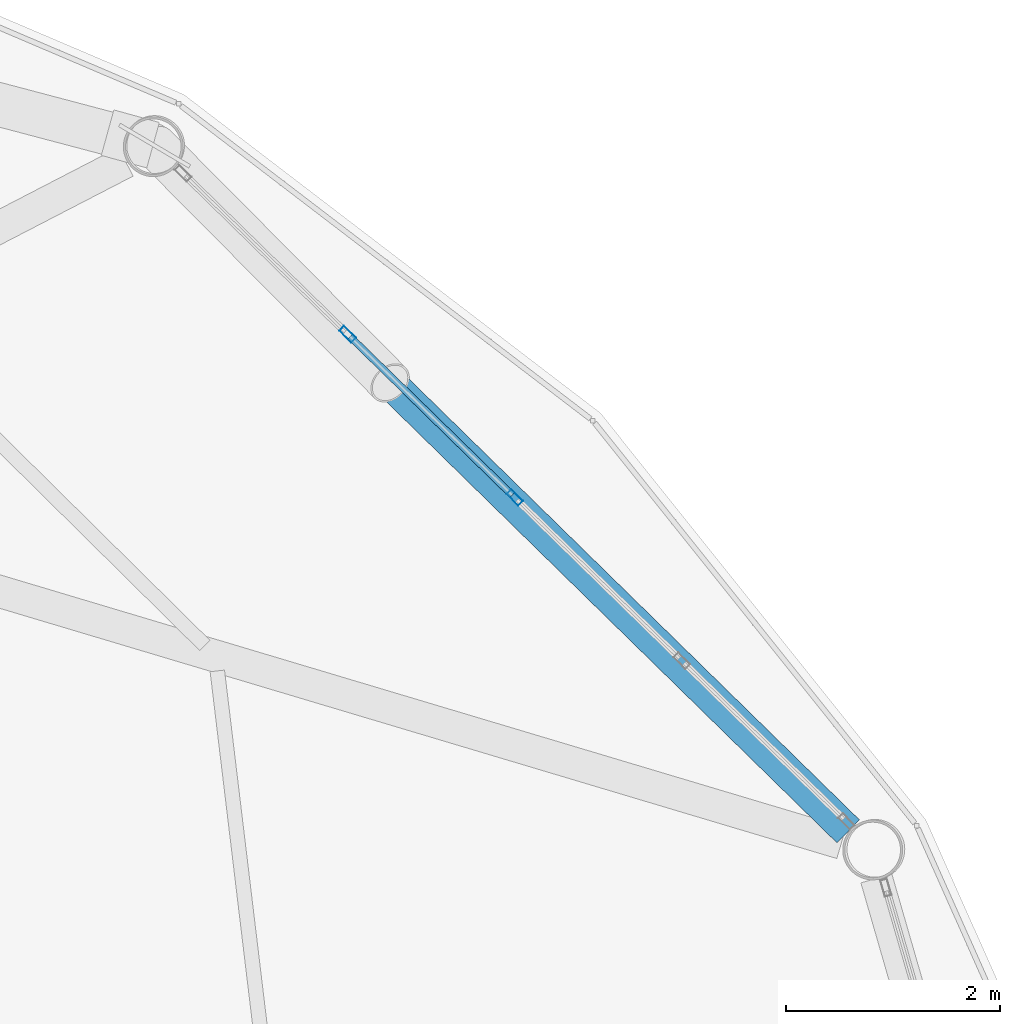
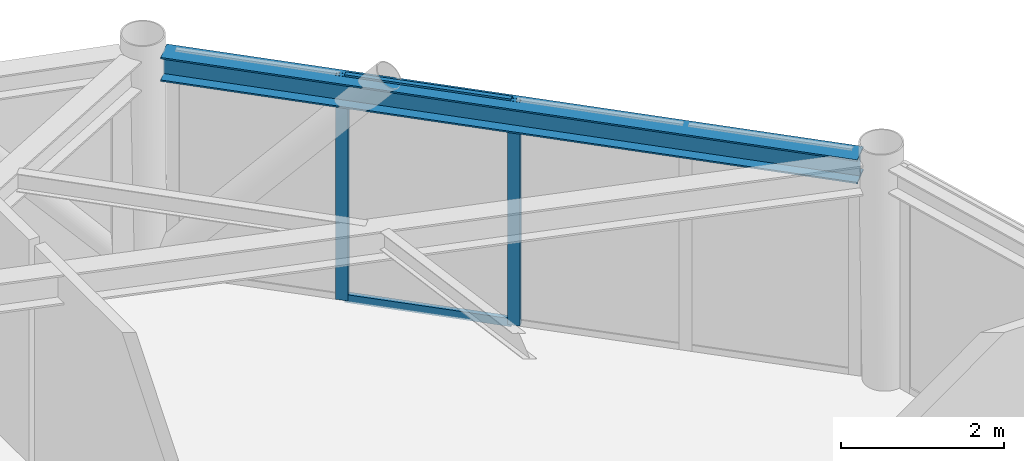
# One storey, part 15 of 27: 4 members, 1 beam, 1 element without a shape of its own.
"""IFC4 building model written with IfcOpenShell, lengths in metres."""

from ifc_helpers import new_model, si_unit, direction, frame, origin, origin_2d, place, context, subcontext, project, spatial, hollow_rectangle, i_section, extrude, material, layer, layer_set, material_profile, profile_set, type_object, element, aggregate, save


model = new_model("IFC4")

# Units and contexts
model_context = context("Model", 3, precision=1e-05, world=origin(), true_north=direction((0.0, 1.0)))
body_context = subcontext(model_context, "Body", "Model", "MODEL_VIEW")
ifc_project = project(units=[si_unit("LENGTHUNIT", "METRE"), si_unit("AREAUNIT", "SQUARE_METRE"), si_unit("VOLUMEUNIT", "CUBIC_METRE"), si_unit("PLANEANGLEUNIT", "RADIAN"), si_unit("MASSUNIT", "GRAM", prefix="KILO")], contexts=[model_context])

# Site, building, storey
site_placement = place(None, origin())
site = spatial("IfcSite", under=ifc_project, at=site_placement, CompositionType="ELEMENT")
building_placement = place(site_placement, origin())
building = spatial("IfcBuilding", under=site, at=building_placement, Name="Varnakorn Sky Granary", CompositionType="ELEMENT")
storey_placement = place(building_placement, frame((0.0, 0.0, 249.0)))
storey = spatial("IfcBuildingStorey", under=building, at=storey_placement, Name="L63", CompositionType="ELEMENT", Elevation=249.0)

# Beam
ifc_material_1 = material(Name="Steel S355JR", Category="steel")
ifc_material_profile_1 = material_profile(ifc_material_1, i_section(OverallWidth=0.300048828125, OverallDepth=0.360107421875, WebThickness=0.012451171875, FlangeThickness=0.0224609375, at=origin_2d()), Name="HE 360 B")
ifc_profile_set_1 = profile_set([ifc_material_profile_1], Name="Steel S355JR")
beam_type = type_object("IfcBeamType", Name="BM-SPD-Z5", PredefinedType="SPANDREL", material=ifc_profile_set_1)
beam_placement = place(storey_placement, frame((20.502197265625, 9.136962890625, 3.179931640625), z_axis=(-0.714633809089, 0.69949876262, 0.0), x_axis=(-0.69949876262, -0.714633809089, 0.0)))
element("IfcBeam", 1, at=beam_placement, inside=storey, type_object=beam_type, Name="Perimeter Spandrel Ring Beam RB02 L63", PredefinedType="SPANDREL", context=body_context, shape_type="SweptSolid", body=[
    extrude(i_section(OverallWidth=0.300048828125, OverallDepth=0.360107421875, WebThickness=0.012451171875, FlangeThickness=0.0224609375, at=origin_2d()), origin(), (0.0, 0.0, 1.0), 8.839599609375),
])

# Curtain wall, members
ifc_material_2 = material(Name="Anodised Bronze Aluminium Alloy 6063-T6", Category="aluminium")
ifc_layer = layer(ifc_material_2, 0.159912109375, Name="Anodised Bronze Aluminium Alloy 6063-T6")
ifc_layer_set = layer_set([ifc_layer], Name="Anodised Bronze Aluminium Alloy 6063-T6")
curtain_wall_type = type_object("IfcCurtainWallType", Name="CW-OFF-1", PredefinedType="USERDEFINED", material=ifc_layer_set)
curtain_wall_placement = place(storey_placement, origin())
curtain_wall = element("IfcCurtainWall", 2, at=curtain_wall_placement, inside=storey, type_object=curtain_wall_type, Name="Unitised Curtain Wall CW6 CW-L63-B02", ObjectType="CURTAIN WALL", PredefinedType="USERDEFINED")
ifc_material_profile_2 = material_profile(ifc_material_2, hollow_rectangle(XDim=0.06494140625, YDim=0.159912109375, WallThickness=0.00341796875, at=origin_2d()), Name="ALU MULL 65x160")
ifc_profile_set_2 = profile_set([ifc_material_profile_2], Name="Anodised Bronze Aluminium Alloy 6063-T6")
member_type_1 = type_object("IfcMemberType", Name="CW-OFF-1-MULL", PredefinedType="MULLION", material=ifc_profile_set_2)
member_1_placement = place(storey_placement, frame((15.83154296875, 13.774658203125, 0.0), z_axis=(0.0, 0.0, 1.0), x_axis=(0.698832913663, 0.71528494936, 0.0)))
member_1 = element("IfcMember", 3, at=member_1_placement, type_object=member_type_1, Name="CW6 mullion 2", PredefinedType="MULLION", context=body_context, shape_type="SweptSolid", body=[
    extrude(hollow_rectangle(XDim=0.06494140625, YDim=0.159912109375, WallThickness=0.00341796875, at=origin_2d()), origin(), (0.0, 0.0, 1.0), 3.360107421875),
])
member_2_placement = place(storey_placement, frame((17.39013671875, 12.251953125, 0.0), z_axis=(0.0, 0.0, 1.0), x_axis=(0.698832913663, 0.71528494936, 0.0)))
member_2 = element("IfcMember", 4, at=member_2_placement, type_object=member_type_1, Name="CW6 mullion 3", PredefinedType="MULLION", context=body_context, shape_type="SweptSolid", body=[
    extrude(hollow_rectangle(XDim=0.06494140625, YDim=0.159912109375, WallThickness=0.00341796875, at=origin_2d()), origin(), (0.0, 0.0, 1.0), 3.360107421875),
])
ifc_material_profile_3 = material_profile(ifc_material_2, hollow_rectangle(XDim=0.06494140625, YDim=0.1201171875, WallThickness=0.00341796875, at=origin_2d()), Name="ALU TRAN 65x120")
ifc_profile_set_3 = profile_set([ifc_material_profile_3], Name="Anodised Bronze Aluminium Alloy 6063-T6")
member_type_2 = type_object("IfcMemberType", Name="CW-OFF-1-TRAN", PredefinedType="USERDEFINED", material=ifc_profile_set_3)
member_3_placement = place(storey_placement, frame((15.854736328125, 13.751953125, 0.032470703125), z_axis=(0.715315764918, -0.698801371249, 0.0), x_axis=(0.698801371249, 0.715315764918, 0.0)))
member_3 = element("IfcMember", 5, at=member_3_placement, type_object=member_type_2, Name="CW6 transom 2.1", ObjectType="TRANSOM", PredefinedType="USERDEFINED", context=body_context, shape_type="SweptSolid", body=[
    extrude(hollow_rectangle(XDim=0.06494140625, YDim=0.1201171875, WallThickness=0.00341796875, at=origin_2d()), origin(), (0.0, 0.0, 1.0), 2.114013671875),
])
member_4_placement = place(storey_placement, frame((15.854736328125, 13.751953125, 3.327392578125), z_axis=(0.715315764918, -0.698801371249, 0.0), x_axis=(0.698801371249, 0.715315764918, 0.0)))
member_4 = element("IfcMember", 6, at=member_4_placement, type_object=member_type_2, Name="CW6 transom 2.2", ObjectType="TRANSOM", PredefinedType="USERDEFINED", context=body_context, shape_type="SweptSolid", body=[
    extrude(hollow_rectangle(XDim=0.06494140625, YDim=0.1201171875, WallThickness=0.00341796875, at=origin_2d()), origin(), (0.0, 0.0, 1.0), 2.114013671875),
])
aggregate(curtain_wall, [member_1, member_2, member_3, member_4])

save(model, "model.ifc")
